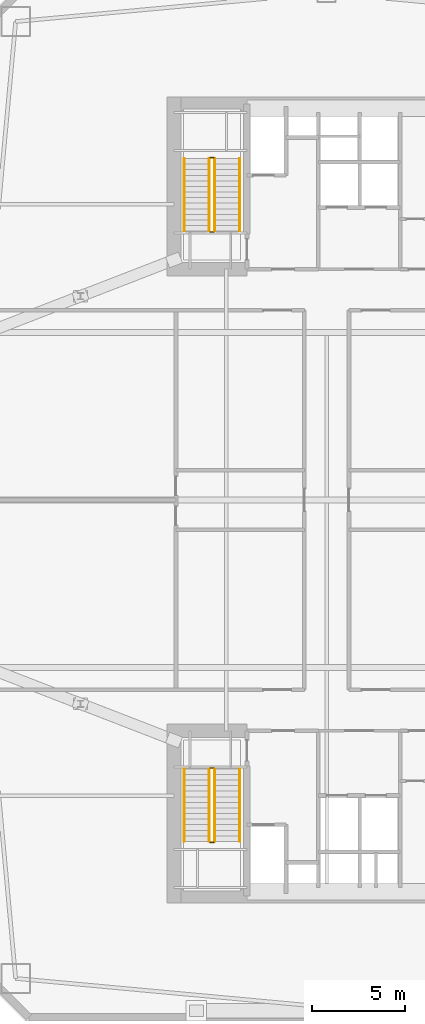
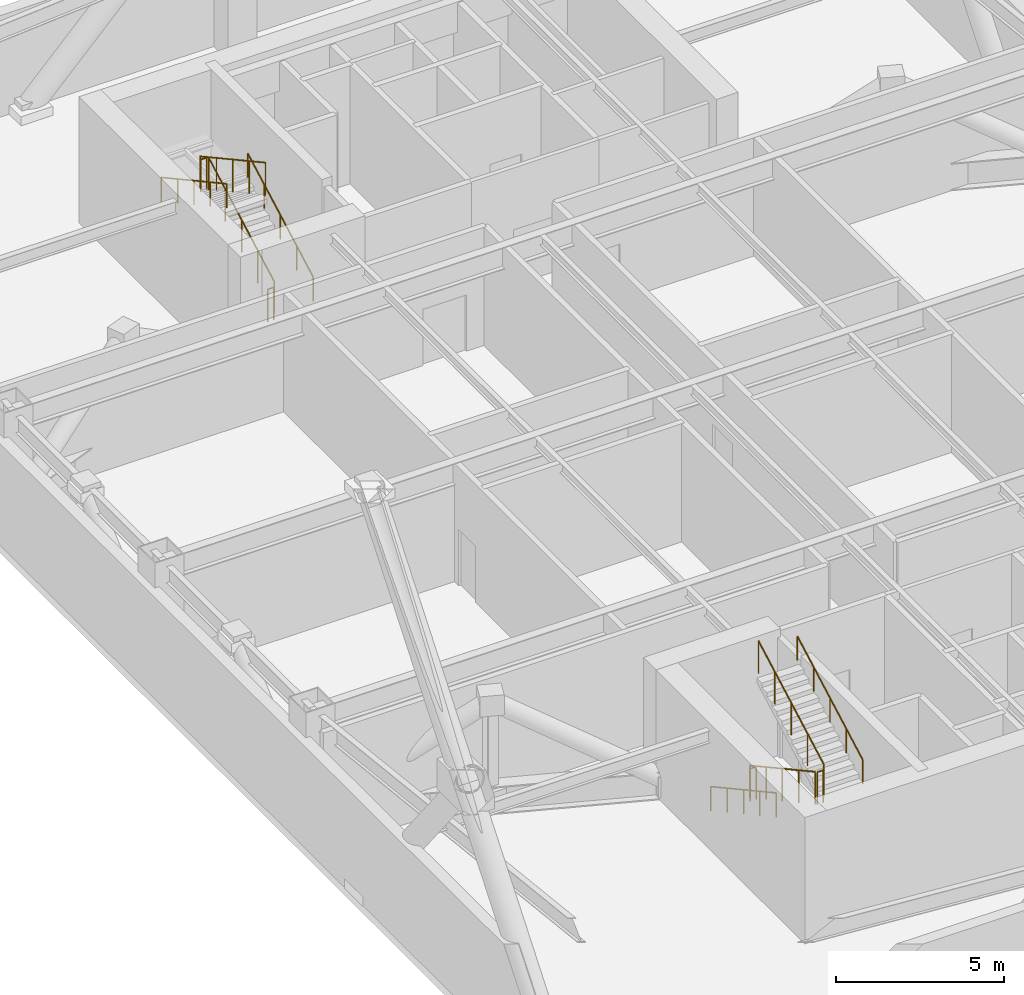
# One storey, part 18 of 19: 12 railings.
"""IFC4 building model written with IfcOpenShell, lengths in metres."""

from ifc_helpers import new_model, si_unit, direction, frame, origin, origin_2d, place, context, subcontext, project, spatial, circle, extrude, material, type_object, element, save


model = new_model("IFC4")

# Units and contexts
model_context = context("Model", 3, precision=1e-05, world=origin(), true_north=direction((0.0, 1.0)))
body_context = subcontext(model_context, "Body", "Model", "MODEL_VIEW")
ifc_project = project(units=[si_unit("LENGTHUNIT", "METRE"), si_unit("AREAUNIT", "SQUARE_METRE"), si_unit("VOLUMEUNIT", "CUBIC_METRE"), si_unit("PLANEANGLEUNIT", "RADIAN"), si_unit("MASSUNIT", "GRAM", prefix="KILO")], contexts=[model_context])

# Site, building, storey
site_placement = place(None, origin())
site = spatial("IfcSite", under=ifc_project, at=site_placement, CompositionType="ELEMENT")
building_placement = place(site_placement, origin())
building = spatial("IfcBuilding", under=site, at=building_placement, Name="Qiaolan Cultural Towers", CompositionType="ELEMENT")
storey_placement = place(building_placement, frame((0.0, 0.0, 92.0)))
storey = spatial("IfcBuildingStorey", under=building, at=storey_placement, Name="L23", CompositionType="ELEMENT", Elevation=92.0)

# Railings
ifc_material_1 = material(Name="Galvanized Painted Steel Stair Guardrail", Category="steel")
railing_type_1 = type_object("IfcRailingType", Name="RL-STAIR-GRD", PredefinedType="GUARDRAIL", material=ifc_material_1)
railing_1_placement = place(storey_placement, frame((23.68994140625, 19.550048828125, 0.164306640625)))
element("IfcRailing", 1, at=railing_1_placement, inside=storey, type_object=railing_type_1, Name="L23 ST-W1 stair guard 1", PredefinedType="GUARDRAIL", context=body_context, shape_type="SweptSolid", body=[
    extrude(circle(Radius=0.02392578125, at=origin_2d()), frame((0.0, 0.0, 1.17578125), z_axis=(0.0, -0.877101224295, 0.480305571839), x_axis=(1.0, 0.0, 0.0)), (0.0, 0.0, 1.0), 4.446533203125),
    extrude(circle(Radius=0.02099609375, at=origin_2d()), origin(), (0.0, 0.0, 1.0), 1.15185546875),
    extrude(circle(Radius=0.02099609375, at=origin_2d()), frame((0.0, -0.97509765625, 0.533935546875)), (0.0, 0.0, 1.0), 1.15185546875),
    extrude(circle(Radius=0.02099609375, at=origin_2d()), frame((0.0, -1.9501953125, 1.06787109375)), (0.0, 0.0, 1.0), 1.15185546875),
    extrude(circle(Radius=0.02099609375, at=origin_2d()), frame((0.0, -2.925048828125, 1.601806640625)), (0.0, 0.0, 1.0), 1.15185546875),
    extrude(circle(Radius=0.02099609375, at=origin_2d()), frame((0.0, -3.900146484375, 2.1357421875)), (0.0, 0.0, 1.0), 1.15185546875),
])
railing_2_placement = place(storey_placement, frame((23.739990234375, 15.60009765625, 2.300048828125)))
element("IfcRailing", 2, at=railing_2_placement, inside=storey, type_object=railing_type_1, Name="L23 ST-W1 stair guard 2", PredefinedType="GUARDRAIL", context=body_context, shape_type="SweptSolid", body=[
    extrude(circle(Radius=0.02392578125, at=origin_2d()), frame((0.0, 0.0, 1.17578125), z_axis=(1.0, 0.0, 0.0), x_axis=(0.0, 1.0, 0.0)), (0.0, 0.0, 1.0), 0.199951171875),
    extrude(circle(Radius=0.02099609375, at=origin_2d()), origin(), (0.0, 0.0, 1.0), 1.15185546875),
    extrude(circle(Radius=0.02099609375, at=origin_2d()), frame((0.199951171875, 0.0, 0.0)), (0.0, 0.0, 1.0), 1.15185546875),
])
railing_3_placement = place(storey_placement, frame((23.989990234375, 15.64990234375, 2.46435546875)))
element("IfcRailing", 3, at=railing_3_placement, inside=storey, type_object=railing_type_1, Name="L23 ST-W1 stair guard 3", PredefinedType="GUARDRAIL", context=body_context, shape_type="SweptSolid", body=[
    extrude(circle(Radius=0.02392578125, at=origin_2d()), frame((0.0, 0.0, 1.17578125), z_axis=(0.0, 0.877101224295, 0.480305571839), x_axis=(-1.0, 0.0, 0.0)), (0.0, 0.0, 1.0), 4.446533203125),
    extrude(circle(Radius=0.02099609375, at=origin_2d()), origin(), (0.0, 0.0, 1.0), 1.15185546875),
    extrude(circle(Radius=0.02099609375, at=origin_2d()), frame((0.0, 0.97509765625, 0.533935546875)), (0.0, 0.0, 1.0), 1.15185546875),
    extrude(circle(Radius=0.02099609375, at=origin_2d()), frame((0.0, 1.9501953125, 1.06787109375)), (0.0, 0.0, 1.0), 1.15185546875),
    extrude(circle(Radius=0.02099609375, at=origin_2d()), frame((0.0, 2.925048828125, 1.601806640625)), (0.0, 0.0, 1.0), 1.15185546875),
    extrude(circle(Radius=0.02099609375, at=origin_2d()), frame((0.0, 3.900146484375, 2.1357421875)), (0.0, 0.0, 1.0), 1.15185546875),
])
railing_4_placement = place(storey_placement, frame((23.739990234375, 19.60009765625, 0.0)))
element("IfcRailing", 4, at=railing_4_placement, inside=storey, type_object=railing_type_1, Name="L23 ST-W1 stair guard 4", PredefinedType="GUARDRAIL", context=body_context, shape_type="SweptSolid", body=[
    extrude(circle(Radius=0.02392578125, at=origin_2d()), frame((0.0, 0.0, 1.17578125), z_axis=(1.0, 0.0, 0.0), x_axis=(0.0, 1.0, 0.0)), (0.0, 0.0, 1.0), 0.199951171875),
    extrude(circle(Radius=0.02099609375, at=origin_2d()), origin(), (0.0, 0.0, 1.0), 1.15185546875),
    extrude(circle(Radius=0.02099609375, at=origin_2d()), frame((0.199951171875, 0.0, 0.0)), (0.0, 0.0, 1.0), 1.15185546875),
])
railing_5_placement = place(storey_placement, frame((23.989990234375, 48.449951171875, 0.164306640625)))
element("IfcRailing", 5, at=railing_5_placement, inside=storey, type_object=railing_type_1, Name="L23 ST-W2 stair guard 1", PredefinedType="GUARDRAIL", context=body_context, shape_type="SweptSolid", body=[
    extrude(circle(Radius=0.02392578125, at=origin_2d()), frame((0.0, 0.0, 1.17578125), z_axis=(0.0, 0.877101224295, 0.480305571839), x_axis=(-1.0, 0.0, 0.0)), (0.0, 0.0, 1.0), 4.446533203125),
    extrude(circle(Radius=0.02099609375, at=origin_2d()), origin(), (0.0, 0.0, 1.0), 1.15185546875),
    extrude(circle(Radius=0.02099609375, at=origin_2d()), frame((0.0, 0.97509765625, 0.533935546875)), (0.0, 0.0, 1.0), 1.15185546875),
    extrude(circle(Radius=0.02099609375, at=origin_2d()), frame((0.0, 1.9501953125, 1.06787109375)), (0.0, 0.0, 1.0), 1.15185546875),
    extrude(circle(Radius=0.02099609375, at=origin_2d()), frame((0.0, 2.925048828125, 1.601806640625)), (0.0, 0.0, 1.0), 1.15185546875),
    extrude(circle(Radius=0.02099609375, at=origin_2d()), frame((0.0, 3.900146484375, 2.1357421875)), (0.0, 0.0, 1.0), 1.15185546875),
])
railing_6_placement = place(storey_placement, frame((23.93994140625, 52.39990234375, 2.300048828125)))
element("IfcRailing", 6, at=railing_6_placement, inside=storey, type_object=railing_type_1, Name="L23 ST-W2 stair guard 2", PredefinedType="GUARDRAIL", context=body_context, shape_type="SweptSolid", body=[
    extrude(circle(Radius=0.02392578125, at=origin_2d()), frame((0.0, 0.0, 1.17578125), z_axis=(-1.0, 0.0, 0.0), x_axis=(0.0, -1.0, 0.0)), (0.0, 0.0, 1.0), 0.199951171875),
    extrude(circle(Radius=0.02099609375, at=origin_2d()), origin(), (0.0, 0.0, 1.0), 1.15185546875),
    extrude(circle(Radius=0.02099609375, at=origin_2d()), frame((-0.199951171875, 0.0, 0.0)), (0.0, 0.0, 1.0), 1.15185546875),
])
railing_7_placement = place(storey_placement, frame((23.68994140625, 52.35009765625, 2.46435546875)))
element("IfcRailing", 7, at=railing_7_placement, inside=storey, type_object=railing_type_1, Name="L23 ST-W2 stair guard 3", PredefinedType="GUARDRAIL", context=body_context, shape_type="SweptSolid", body=[
    extrude(circle(Radius=0.02392578125, at=origin_2d()), frame((0.0, 0.0, 1.17578125), z_axis=(0.0, -0.877101224295, 0.480305571839), x_axis=(1.0, 0.0, 0.0)), (0.0, 0.0, 1.0), 4.446533203125),
    extrude(circle(Radius=0.02099609375, at=origin_2d()), origin(), (0.0, 0.0, 1.0), 1.15185546875),
    extrude(circle(Radius=0.02099609375, at=origin_2d()), frame((0.0, -0.97509765625, 0.533935546875)), (0.0, 0.0, 1.0), 1.15185546875),
    extrude(circle(Radius=0.02099609375, at=origin_2d()), frame((0.0, -1.9501953125, 1.06787109375)), (0.0, 0.0, 1.0), 1.15185546875),
    extrude(circle(Radius=0.02099609375, at=origin_2d()), frame((0.0, -2.925048828125, 1.601806640625)), (0.0, 0.0, 1.0), 1.15185546875),
    extrude(circle(Radius=0.02099609375, at=origin_2d()), frame((0.0, -3.900146484375, 2.1357421875)), (0.0, 0.0, 1.0), 1.15185546875),
])
railing_8_placement = place(storey_placement, frame((23.93994140625, 48.39990234375, 0.0)))
element("IfcRailing", 8, at=railing_8_placement, inside=storey, type_object=railing_type_1, Name="L23 ST-W2 stair guard 4", PredefinedType="GUARDRAIL", context=body_context, shape_type="SweptSolid", body=[
    extrude(circle(Radius=0.02392578125, at=origin_2d()), frame((0.0, 0.0, 1.17578125), z_axis=(-1.0, 0.0, 0.0), x_axis=(0.0, -1.0, 0.0)), (0.0, 0.0, 1.0), 0.199951171875),
    extrude(circle(Radius=0.02099609375, at=origin_2d()), origin(), (0.0, 0.0, 1.0), 1.15185546875),
    extrude(circle(Radius=0.02099609375, at=origin_2d()), frame((-0.199951171875, 0.0, 0.0)), (0.0, 0.0, 1.0), 1.15185546875),
])
ifc_material_2 = material(Name="Stainless Steel S30408 Tubular Handrail", Category="steel")
railing_type_2 = type_object("IfcRailingType", Name="RL-STAIR-HR", PredefinedType="HANDRAIL", material=ifc_material_2)
railing_9_placement = place(storey_placement, frame((22.35009765625, 19.550048828125, 0.164306640625)))
element("IfcRailing", 9, at=railing_9_placement, inside=storey, type_object=railing_type_2, Name="L23 ST-W1 stair handrail 1", PredefinedType="HANDRAIL", context=body_context, shape_type="SweptSolid", body=[
    extrude(circle(Radius=0.02392578125, at=origin_2d()), frame((0.0, 0.0, 0.8759765625), z_axis=(0.0, -0.877101224295, 0.480305571839), x_axis=(1.0, 0.0, 0.0)), (0.0, 0.0, 1.0), 4.446533203125),
    extrude(circle(Radius=0.02099609375, at=origin_2d()), origin(), (0.0, 0.0, 1.0), 0.851806640625),
    extrude(circle(Radius=0.02099609375, at=origin_2d()), frame((0.0, -0.97509765625, 0.533935546875)), (0.0, 0.0, 1.0), 0.851806640625),
    extrude(circle(Radius=0.02099609375, at=origin_2d()), frame((0.0, -1.9501953125, 1.06787109375)), (0.0, 0.0, 1.0), 0.851806640625),
    extrude(circle(Radius=0.02099609375, at=origin_2d()), frame((0.0, -2.925048828125, 1.601806640625)), (0.0, 0.0, 1.0), 0.851806640625),
    extrude(circle(Radius=0.02099609375, at=origin_2d()), frame((0.0, -3.900146484375, 2.1357421875)), (0.0, 0.0, 1.0), 0.851806640625),
])
for number, where, name in (
    (10, (25.330078125, 15.64990234375, 2.46435546875), "L23 ST-W1 stair handrail 2"),
    (11, (25.330078125, 48.449951171875, 0.164306640625), "L23 ST-W2 stair handrail 1"),
):
    element("IfcRailing", number, at=place(storey_placement, frame(where)), inside=storey, type_object=railing_type_2, Name=name, PredefinedType="HANDRAIL", context=body_context, shape_type="SweptSolid", body=[
        extrude(circle(Radius=0.02392578125, at=origin_2d()), frame((0.0, 0.0, 0.8759765625), z_axis=(0.0, 0.877101224295, 0.480305571839), x_axis=(-1.0, 0.0, 0.0)), (0.0, 0.0, 1.0), 4.446533203125),
        extrude(circle(Radius=0.02099609375, at=origin_2d()), origin(), (0.0, 0.0, 1.0), 0.851806640625),
        extrude(circle(Radius=0.02099609375, at=origin_2d()), frame((0.0, 0.97509765625, 0.533935546875)), (0.0, 0.0, 1.0), 0.851806640625),
        extrude(circle(Radius=0.02099609375, at=origin_2d()), frame((0.0, 1.9501953125, 1.06787109375)), (0.0, 0.0, 1.0), 0.851806640625),
        extrude(circle(Radius=0.02099609375, at=origin_2d()), frame((0.0, 2.925048828125, 1.601806640625)), (0.0, 0.0, 1.0), 0.851806640625),
        extrude(circle(Radius=0.02099609375, at=origin_2d()), frame((0.0, 3.900146484375, 2.1357421875)), (0.0, 0.0, 1.0), 0.851806640625),
    ])
railing_10_placement = place(storey_placement, frame((22.35009765625, 52.35009765625, 2.46435546875)))
element("IfcRailing", 12, at=railing_10_placement, inside=storey, type_object=railing_type_2, Name="L23 ST-W2 stair handrail 2", PredefinedType="HANDRAIL", context=body_context, shape_type="SweptSolid", body=[
    extrude(circle(Radius=0.02392578125, at=origin_2d()), frame((0.0, 0.0, 0.8759765625), z_axis=(0.0, -0.877101224295, 0.480305571839), x_axis=(1.0, 0.0, 0.0)), (0.0, 0.0, 1.0), 4.446533203125),
    extrude(circle(Radius=0.02099609375, at=origin_2d()), origin(), (0.0, 0.0, 1.0), 0.851806640625),
    extrude(circle(Radius=0.02099609375, at=origin_2d()), frame((0.0, -0.97509765625, 0.533935546875)), (0.0, 0.0, 1.0), 0.851806640625),
    extrude(circle(Radius=0.02099609375, at=origin_2d()), frame((0.0, -1.9501953125, 1.06787109375)), (0.0, 0.0, 1.0), 0.851806640625),
    extrude(circle(Radius=0.02099609375, at=origin_2d()), frame((0.0, -2.925048828125, 1.601806640625)), (0.0, 0.0, 1.0), 0.851806640625),
    extrude(circle(Radius=0.02099609375, at=origin_2d()), frame((0.0, -3.900146484375, 2.1357421875)), (0.0, 0.0, 1.0), 0.851806640625),
])

save(model, "model.ifc")
